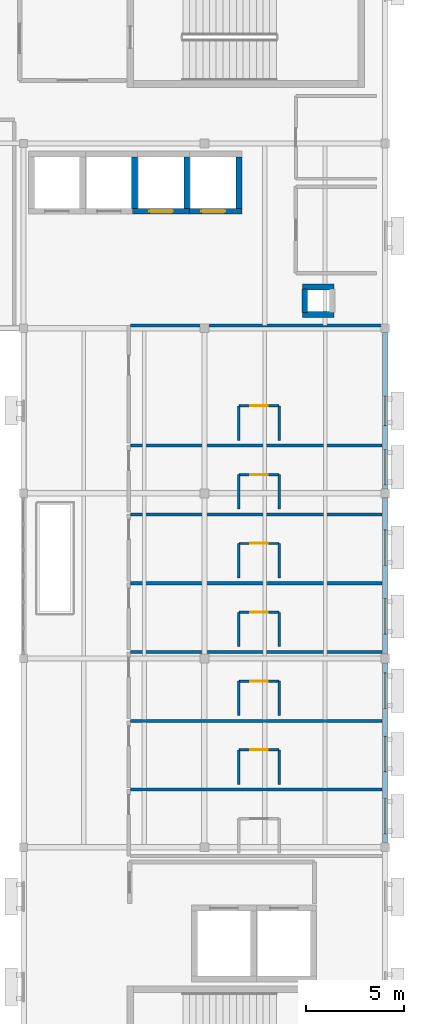
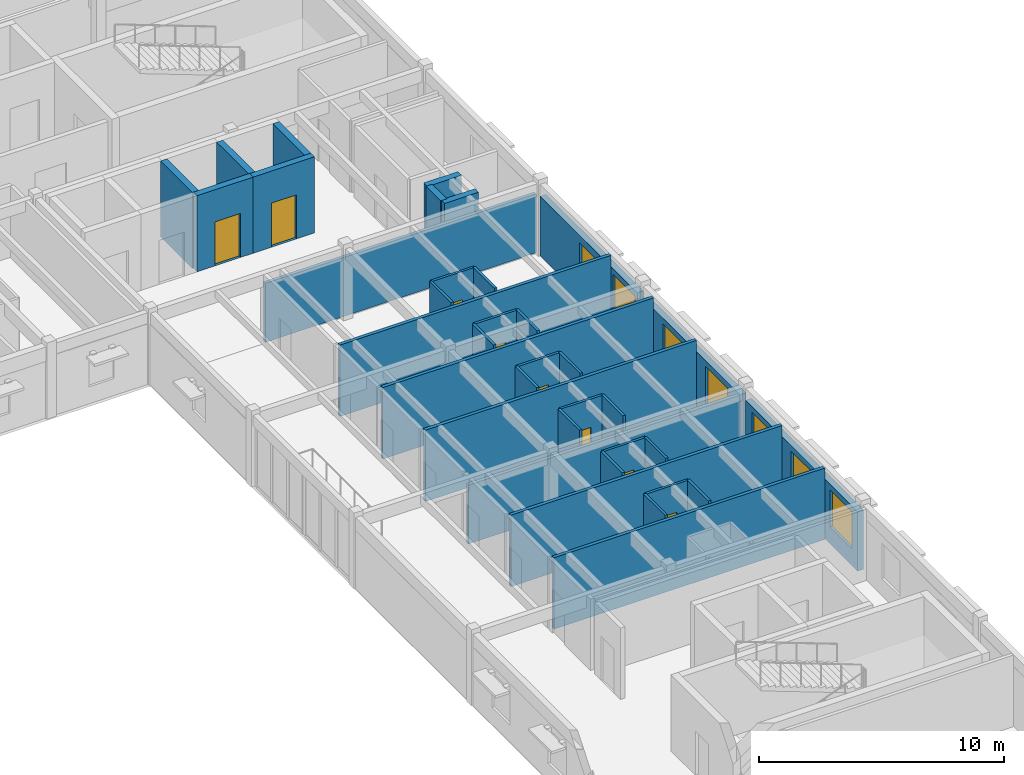
# One storey, part 9 of 17: 36 walls, 8 doors, 7 windows, 15 openings.
"""IFC4 building model written with IfcOpenShell, lengths in metres."""

from ifc_helpers import new_model, si_unit, direction, frame, frame_2d, origin, place, context, subcontext, project, spatial, rectangle, extrude, material, layer, layer_set, type_object, element, fill, save


model = new_model("IFC4")

# Units and contexts
model_context = context("Model", 3, precision=1e-05, world=origin(), true_north=direction((0.0, 1.0)))
body_context = subcontext(model_context, "Body", "Model", "MODEL_VIEW")
ifc_project = project(units=[si_unit("LENGTHUNIT", "METRE"), si_unit("AREAUNIT", "SQUARE_METRE"), si_unit("VOLUMEUNIT", "CUBIC_METRE"), si_unit("PLANEANGLEUNIT", "RADIAN"), si_unit("MASSUNIT", "GRAM", prefix="KILO")], contexts=[model_context])

# Site, building, storey
site_placement = place(None, origin())
site = spatial("IfcSite", under=ifc_project, at=site_placement, CompositionType="ELEMENT")
building_placement = place(site_placement, origin())
building = spatial("IfcBuilding", under=site, at=building_placement, Name="Veldera Park Congress Hotel", CompositionType="ELEMENT")
storey_placement = place(building_placement, frame((0.0, 0.0, 35.199951171875)))
storey = spatial("IfcBuildingStorey", under=building, at=storey_placement, Name="L08", CompositionType="ELEMENT", Elevation=35.199951171875)

# Wall, openings, windows
ifc_material_1 = material(Name="Cross-laminated timber CLT V2M1.1", Category="wood")
ifc_layer_1 = layer(ifc_material_1, 0.280029296875)
ifc_layer_set_1 = layer_set([ifc_layer_1], Name="Cross-laminated timber CLT V2M1.1")
wall_type_1 = type_object("IfcWallType", Name="EW-CLT280", PredefinedType="STANDARD", material=ifc_layer_set_1)
wall_1_placement = place(storey_placement, frame((84.0, 0.822998046875, 0.0), z_axis=(0.0, 0.0, 1.0), x_axis=(0.0, 1.0, 0.0)))
wall_1 = element("IfcWall", 1, at=wall_1_placement, inside=storey, type_object=wall_type_1, Name="L08 Exterior Wall EW3-L08-0375", PredefinedType="STANDARD", context=body_context, shape_type="SweptSolid", body=[
    extrude(rectangle(XDim=9.154052734375, YDim=0.280029296875, at=frame_2d((4.5771484375, 0.0))), origin(), (0.0, 0.0, 1.0), 2.97998046875),
])
opening_1_placement = place(wall_1_placement, frame((0.45361328125, 0.0, 0.85009765625)))
opening_1 = element("IfcOpeningElement", 2, at=opening_1_placement, cuts=wall_1, Name="Opening WIN-1800", PredefinedType="OPENING", context=body_context, shape_type="SweptSolid", body=[
    extrude(rectangle(XDim=1.800048828125, YDim=1.85009765625, at=frame_2d((0.89990234375, 0.925048828125))), frame((0.0, 0.152099609375, 0.0), z_axis=(0.0, -1.0, 0.0), x_axis=(1.0, 0.0, 0.0)), (0.0, 0.0, 1.0), 0.303955078125),
])
opening_2_placement = place(wall_1_placement, frame((3.616943359375, 0.0, 0.85009765625)))
opening_2 = element("IfcOpeningElement", 3, at=opening_2_placement, cuts=wall_1, Name="Opening WIN-1800", PredefinedType="OPENING", context=body_context, shape_type="SweptSolid", body=[
    extrude(rectangle(XDim=1.800048828125, YDim=1.85009765625, at=frame_2d((0.89990234375, 0.925048828125))), frame((0.0, 0.152099609375, 0.0), z_axis=(0.0, -1.0, 0.0), x_axis=(1.0, 0.0, 0.0)), (0.0, 0.0, 1.0), 0.303955078125),
])
opening_3_placement = place(wall_1_placement, frame((6.840576171875, 0.0, 0.85009765625)))
opening_3 = element("IfcOpeningElement", 4, at=opening_3_placement, cuts=wall_1, Name="Opening WIN-1800", PredefinedType="OPENING", context=body_context, shape_type="SweptSolid", body=[
    extrude(rectangle(XDim=1.800048828125, YDim=1.85009765625, at=frame_2d((0.89990234375, 0.925048828125))), frame((0.0, 0.152099609375, 0.0), z_axis=(0.0, -1.0, 0.0), x_axis=(1.0, 0.0, 0.0)), (0.0, 0.0, 1.0), 0.303955078125),
])
ifc_material_2 = material(Name="Low-E Triple Insulating Glass Unit (SHGC 0.22)", Category="glass")
window_type_1 = type_object("IfcWindowType", Name="WIN-1800", PartitioningType="SINGLE_PANEL", PredefinedType="WINDOW", material=ifc_material_2)
window_1_placement = place(opening_1_placement, origin())
window_1 = element("IfcWindow", 5, at=window_1_placement, inside=storey, type_object=window_type_1, Name="L08 Window WIN-1800 554", OverallHeight=1.85009765625, OverallWidth=1.800048828125, PartitioningType="SINGLE_PANEL", PredefinedType="WINDOW", context=body_context, shape_type="SweptSolid", body=[
    extrude(rectangle(XDim=1.800048828125, YDim=1.85009765625, at=frame_2d((0.89990234375, 0.925048828125))), frame((0.0, 0.030029296875, 0.0), z_axis=(0.0, -1.0, 0.0), x_axis=(1.0, 0.0, 0.0)), (0.0, 0.0, 1.0), 0.06005859375),
])
fill(opening_1, window_1)
window_2_placement = place(opening_2_placement, origin())
window_2 = element("IfcWindow", 6, at=window_2_placement, inside=storey, type_object=window_type_1, Name="L08 Window WIN-1800 555", OverallHeight=1.85009765625, OverallWidth=1.800048828125, PartitioningType="SINGLE_PANEL", PredefinedType="WINDOW", context=body_context, shape_type="SweptSolid", body=[
    extrude(rectangle(XDim=1.800048828125, YDim=1.85009765625, at=frame_2d((0.89990234375, 0.925048828125))), frame((0.0, 0.030029296875, 0.0), z_axis=(0.0, -1.0, 0.0), x_axis=(1.0, 0.0, 0.0)), (0.0, 0.0, 1.0), 0.06005859375),
])
fill(opening_2, window_2)
window_3_placement = place(opening_3_placement, origin())
window_3 = element("IfcWindow", 7, at=window_3_placement, inside=storey, type_object=window_type_1, Name="L08 Window WIN-1800 556", OverallHeight=1.85009765625, OverallWidth=1.800048828125, PartitioningType="SINGLE_PANEL", PredefinedType="WINDOW", context=body_context, shape_type="SweptSolid", body=[
    extrude(rectangle(XDim=1.800048828125, YDim=1.85009765625, at=frame_2d((0.89990234375, 0.925048828125))), frame((0.0, 0.030029296875, 0.0), z_axis=(0.0, -1.0, 0.0), x_axis=(1.0, 0.0, 0.0)), (0.0, 0.0, 1.0), 0.06005859375),
])
fill(opening_3, window_3)

wall_2_placement = place(storey_placement, frame((84.0, 10.423095703125, 0.0), z_axis=(0.0, 0.0, 1.0), x_axis=(0.0, 1.0, 0.0)))
wall_2 = element("IfcWall", 8, at=wall_2_placement, inside=storey, type_object=wall_type_1, Name="L08 Exterior Wall EW3-L08-0376", PredefinedType="STANDARD", context=body_context, shape_type="SweptSolid", body=[
    extrude(rectangle(XDim=7.953857421875, YDim=0.280029296875, at=frame_2d((3.97705078125, 0.0))), origin(), (0.0, 0.0, 1.0), 2.97998046875),
])
opening_4_placement = place(wall_2_placement, frame((1.01708984375, 0.0, 0.85009765625)))
opening_4 = element("IfcOpeningElement", 9, at=opening_4_placement, cuts=wall_2, Name="Opening WIN-1800", PredefinedType="OPENING", context=body_context, shape_type="SweptSolid", body=[
    extrude(rectangle(XDim=1.800048828125, YDim=1.85009765625, at=frame_2d((0.89990234375, 0.925048828125))), frame((0.0, 0.152099609375, 0.0), z_axis=(0.0, -1.0, 0.0), x_axis=(1.0, 0.0, 0.0)), (0.0, 0.0, 1.0), 0.303955078125),
])
opening_5_placement = place(wall_2_placement, frame((4.51708984375, 0.0, 0.85009765625)))
opening_5 = element("IfcOpeningElement", 10, at=opening_5_placement, cuts=wall_2, Name="Opening WIN-1800", PredefinedType="OPENING", context=body_context, shape_type="SweptSolid", body=[
    extrude(rectangle(XDim=1.800048828125, YDim=1.85009765625, at=frame_2d((0.89990234375, 0.925048828125))), frame((0.0, 0.152099609375, 0.0), z_axis=(0.0, -1.0, 0.0), x_axis=(1.0, 0.0, 0.0)), (0.0, 0.0, 1.0), 0.303955078125),
])
window_4_placement = place(opening_4_placement, origin())
window_4 = element("IfcWindow", 11, at=window_4_placement, inside=storey, type_object=window_type_1, Name="L08 Window WIN-1800 557", OverallHeight=1.85009765625, OverallWidth=1.800048828125, PartitioningType="SINGLE_PANEL", PredefinedType="WINDOW", context=body_context, shape_type="SweptSolid", body=[
    extrude(rectangle(XDim=1.800048828125, YDim=1.85009765625, at=frame_2d((0.89990234375, 0.925048828125))), frame((0.0, 0.030029296875, 0.0), z_axis=(0.0, -1.0, 0.0), x_axis=(1.0, 0.0, 0.0)), (0.0, 0.0, 1.0), 0.06005859375),
])
fill(opening_4, window_4)
window_5_placement = place(opening_5_placement, origin())
window_5 = element("IfcWindow", 12, at=window_5_placement, inside=storey, type_object=window_type_1, Name="L08 Window WIN-1800 558", OverallHeight=1.85009765625, OverallWidth=1.800048828125, PartitioningType="SINGLE_PANEL", PredefinedType="WINDOW", context=body_context, shape_type="SweptSolid", body=[
    extrude(rectangle(XDim=1.800048828125, YDim=1.85009765625, at=frame_2d((0.89990234375, 0.925048828125))), frame((0.0, 0.030029296875, 0.0), z_axis=(0.0, -1.0, 0.0), x_axis=(1.0, 0.0, 0.0)), (0.0, 0.0, 1.0), 0.06005859375),
])
fill(opening_5, window_5)

wall_3_placement = place(storey_placement, frame((84.0, 18.822998046875, 0.0), z_axis=(0.0, 0.0, 1.0), x_axis=(0.0, 1.0, 0.0)))
wall_3 = element("IfcWall", 13, at=wall_3_placement, inside=storey, type_object=wall_type_1, Name="L08 Exterior Wall EW3-L08-0377", PredefinedType="STANDARD", context=body_context, shape_type="SweptSolid", body=[
    extrude(rectangle(XDim=7.9541015625, YDim=0.280029296875, at=frame_2d((3.97705078125, 0.0))), origin(), (0.0, 0.0, 1.0), 2.97998046875),
])
opening_6_placement = place(wall_3_placement, frame((3.22705078125, 0.0, 0.85009765625)))
opening_6 = element("IfcOpeningElement", 14, at=opening_6_placement, cuts=wall_3, Name="Opening WIN-1500", PredefinedType="OPENING", context=body_context, shape_type="SweptSolid", body=[
    extrude(rectangle(XDim=1.5, YDim=1.75, at=frame_2d((0.75, 0.875))), frame((0.0, 0.152099609375, 0.0), z_axis=(0.0, -1.0, 0.0), x_axis=(1.0, 0.0, 0.0)), (0.0, 0.0, 1.0), 0.303955078125),
])
opening_7_placement = place(wall_3_placement, frame((0.20361328125, 0.0, 0.85009765625)))
opening_7 = element("IfcOpeningElement", 15, at=opening_7_placement, cuts=wall_3, Name="Opening WIN-1800", PredefinedType="OPENING", context=body_context, shape_type="SweptSolid", body=[
    extrude(rectangle(XDim=1.800048828125, YDim=1.85009765625, at=frame_2d((0.89990234375, 0.925048828125))), frame((0.0, 0.152099609375, 0.0), z_axis=(0.0, -1.0, 0.0), x_axis=(1.0, 0.0, 0.0)), (0.0, 0.0, 1.0), 0.303955078125),
])
window_type_2 = type_object("IfcWindowType", Name="WIN-1500", PartitioningType="SINGLE_PANEL", PredefinedType="WINDOW", material=ifc_material_2)
window_6_placement = place(opening_6_placement, origin())
window_6 = element("IfcWindow", 16, at=window_6_placement, inside=storey, type_object=window_type_2, Name="L08 Window WIN-1500 287", OverallHeight=1.75, OverallWidth=1.5, PartitioningType="SINGLE_PANEL", PredefinedType="WINDOW", context=body_context, shape_type="SweptSolid", body=[
    extrude(rectangle(XDim=1.5, YDim=1.75, at=frame_2d((0.75, 0.875))), frame((0.0, 0.030029296875, 0.0), z_axis=(0.0, -1.0, 0.0), x_axis=(1.0, 0.0, 0.0)), (0.0, 0.0, 1.0), 0.06005859375),
])
fill(opening_6, window_6)
window_7_placement = place(opening_7_placement, origin())
window_7 = element("IfcWindow", 17, at=window_7_placement, inside=storey, type_object=window_type_1, Name="L08 Window WIN-1800 559", OverallHeight=1.85009765625, OverallWidth=1.800048828125, PartitioningType="SINGLE_PANEL", PredefinedType="WINDOW", context=body_context, shape_type="SweptSolid", body=[
    extrude(rectangle(XDim=1.800048828125, YDim=1.85009765625, at=frame_2d((0.89990234375, 0.925048828125))), frame((0.0, 0.030029296875, 0.0), z_axis=(0.0, -1.0, 0.0), x_axis=(1.0, 0.0, 0.0)), (0.0, 0.0, 1.0), 0.06005859375),
])
fill(opening_7, window_7)

# Walls
ifc_material_3 = material(Name="Fire-Rated Gypsum Board on Cold-Formed Steel Studs", Category="steel")
ifc_layer_2 = layer(ifc_material_3, 0.1201171875)
ifc_layer_set_2 = layer_set([ifc_layer_2], Name="Fire-Rated Gypsum Board on Cold-Formed Steel Studs")
wall_type_2 = type_object("IfcWallType", Name="IW-BATH120", PredefinedType="PARTITIONING", material=ifc_layer_set_2)
for number, where, z_axis, x_axis, name in (
    (18, (76.550048828125, 3.800048828125, 0.0), (0.0, 0.0, 1.0), (0.0, 1.0, 0.0), "L08 Partition Wall IW3-L08-01507"),
    (19, (78.60009765625, 3.800048828125, 0.0), (0.0, 0.0, 1.0), (0.0, 1.0, 0.0), "L08 Partition Wall IW3-L08-01508"),
):
    element("IfcWall", number, at=place(storey_placement, frame(where, z_axis=z_axis, x_axis=x_axis)), inside=storey, type_object=wall_type_2, Name=name, PredefinedType="PARTITIONING", context=body_context, shape_type="SweptSolid", body=[
        extrude(rectangle(XDim=1.75, YDim=0.1201171875, at=frame_2d((0.875, 0.0))), origin(), (0.0, 0.0, 1.0), 3.56494140625),
    ])

# Wall, opening, door
wall_4_placement = place(storey_placement, frame((76.550048828125, 5.550048828125, 0.0), z_axis=(0.0, 0.0, 1.0), x_axis=(1.0, 0.0, 0.0)))
wall_4 = element("IfcWall", 20, at=wall_4_placement, inside=storey, type_object=wall_type_2, Name="L08 Partition Wall IW3-L08-01509", PredefinedType="PARTITIONING", context=body_context, shape_type="SweptSolid", body=[
    extrude(rectangle(XDim=2.050048828125, YDim=0.1201171875, at=frame_2d((1.02490234375, 0.0))), origin(), (0.0, 0.0, 1.0), 3.56494140625),
])
opening_8_placement = place(wall_4_placement, frame((0.574951171875, 0.0, 0.0)))
opening_8 = element("IfcOpeningElement", 21, at=opening_8_placement, cuts=wall_4, Name="Opening ID-BATH090", PredefinedType="OPENING", context=body_context, shape_type="SweptSolid", body=[
    extrude(rectangle(XDim=0.89990234375, YDim=2.14990234375, at=frame_2d((0.449951171875, 1.074951171875))), frame((0.0, 0.072021484375, 0.0), z_axis=(0.0, -1.0, 0.0), x_axis=(1.0, 0.0, 0.0)), (0.0, 0.0, 1.0), 0.14404296875),
])
ifc_material_4 = material(Name="Solid Core White Oak Architectural Door", Category="wood")
door_type_1 = type_object("IfcDoorType", Name="ID-BATH090", OperationType="NOTDEFINED", PredefinedType="DOOR", material=ifc_material_4)
door_1_placement = place(opening_8_placement, origin())
door_1 = element("IfcDoor", 22, at=door_1_placement, inside=storey, type_object=door_type_1, Name="L08 En-suite 242 Door ID3-L08-0623 (DR3-ID3-L08-0623)", OperationType="SINGLE_SWING_LEFT", OverallHeight=2.14990234375, OverallWidth=0.89990234375, PredefinedType="DOOR", context=body_context, shape_type="SweptSolid", body=[
    extrude(rectangle(XDim=0.89990234375, YDim=2.14990234375, at=frame_2d((0.449951171875, 1.074951171875))), frame((0.0, 0.02490234375, 0.0), z_axis=(0.0, -1.0, 0.0), x_axis=(1.0, 0.0, 0.0)), (0.0, 0.0, 1.0), 0.050048828125),
])
fill(opening_8, door_1)

# Walls
for number, where, z_axis, x_axis, name in (
    (23, (76.550048828125, 7.300048828125, 0.0), (0.0, 0.0, 1.0), (0.0, 1.0, 0.0), "L08 Partition Wall IW3-L08-01512"),
    (24, (78.60009765625, 7.300048828125, 0.0), (0.0, 0.0, 1.0), (0.0, 1.0, 0.0), "L08 Partition Wall IW3-L08-01513"),
):
    element("IfcWall", number, at=place(storey_placement, frame(where, z_axis=z_axis, x_axis=x_axis)), inside=storey, type_object=wall_type_2, Name=name, PredefinedType="PARTITIONING", context=body_context, shape_type="SweptSolid", body=[
        extrude(rectangle(XDim=1.75, YDim=0.1201171875, at=frame_2d((0.875, 0.0))), origin(), (0.0, 0.0, 1.0), 3.56494140625),
    ])

# Wall, opening, door
wall_5_placement = place(storey_placement, frame((76.550048828125, 9.050048828125, 0.0), z_axis=(0.0, 0.0, 1.0), x_axis=(1.0, 0.0, 0.0)))
wall_5 = element("IfcWall", 25, at=wall_5_placement, inside=storey, type_object=wall_type_2, Name="L08 Partition Wall IW3-L08-01514", PredefinedType="PARTITIONING", context=body_context, shape_type="SweptSolid", body=[
    extrude(rectangle(XDim=2.050048828125, YDim=0.1201171875, at=frame_2d((1.02490234375, 0.0))), origin(), (0.0, 0.0, 1.0), 3.56494140625),
])
opening_9_placement = place(wall_5_placement, frame((0.574951171875, 0.0, 0.0)))
opening_9 = element("IfcOpeningElement", 26, at=opening_9_placement, cuts=wall_5, Name="Opening ID-BATH090", PredefinedType="OPENING", context=body_context, shape_type="SweptSolid", body=[
    extrude(rectangle(XDim=0.89990234375, YDim=2.14990234375, at=frame_2d((0.449951171875, 1.074951171875))), frame((0.0, 0.072021484375, 0.0), z_axis=(0.0, -1.0, 0.0), x_axis=(1.0, 0.0, 0.0)), (0.0, 0.0, 1.0), 0.14404296875),
])
door_2_placement = place(opening_9_placement, origin())
door_2 = element("IfcDoor", 27, at=door_2_placement, inside=storey, type_object=door_type_1, Name="L08 En-suite 243 Door ID3-L08-0625 (DR3-ID3-L08-0625)", OperationType="SINGLE_SWING_LEFT", OverallHeight=2.14990234375, OverallWidth=0.89990234375, PredefinedType="DOOR", context=body_context, shape_type="SweptSolid", body=[
    extrude(rectangle(XDim=0.89990234375, YDim=2.14990234375, at=frame_2d((0.449951171875, 1.074951171875))), frame((0.0, 0.02490234375, 0.0), z_axis=(0.0, -1.0, 0.0), x_axis=(1.0, 0.0, 0.0)), (0.0, 0.0, 1.0), 0.050048828125),
])
fill(opening_9, door_2)

# Walls
for number, where, z_axis, x_axis, name in (
    (28, (76.550048828125, 10.800048828125, 0.0), (0.0, 0.0, 1.0), (0.0, 1.0, 0.0), "L08 Partition Wall IW3-L08-01517"),
    (29, (78.60009765625, 10.800048828125, 0.0), (0.0, 0.0, 1.0), (0.0, 1.0, 0.0), "L08 Partition Wall IW3-L08-01518"),
):
    element("IfcWall", number, at=place(storey_placement, frame(where, z_axis=z_axis, x_axis=x_axis)), inside=storey, type_object=wall_type_2, Name=name, PredefinedType="PARTITIONING", context=body_context, shape_type="SweptSolid", body=[
        extrude(rectangle(XDim=1.75, YDim=0.1201171875, at=frame_2d((0.875, 0.0))), origin(), (0.0, 0.0, 1.0), 3.56494140625),
    ])

# Wall, opening, door
wall_6_placement = place(storey_placement, frame((76.550048828125, 12.550048828125, 0.0), z_axis=(0.0, 0.0, 1.0), x_axis=(1.0, 0.0, 0.0)))
wall_6 = element("IfcWall", 30, at=wall_6_placement, inside=storey, type_object=wall_type_2, Name="L08 Partition Wall IW3-L08-01519", PredefinedType="PARTITIONING", context=body_context, shape_type="SweptSolid", body=[
    extrude(rectangle(XDim=2.050048828125, YDim=0.1201171875, at=frame_2d((1.02490234375, 0.0))), origin(), (0.0, 0.0, 1.0), 3.56494140625),
])
opening_10_placement = place(wall_6_placement, frame((0.574951171875, 0.0, 0.0)))
opening_10 = element("IfcOpeningElement", 31, at=opening_10_placement, cuts=wall_6, Name="Opening ID-BATH090", PredefinedType="OPENING", context=body_context, shape_type="SweptSolid", body=[
    extrude(rectangle(XDim=0.89990234375, YDim=2.14990234375, at=frame_2d((0.449951171875, 1.074951171875))), frame((0.0, 0.072021484375, 0.0), z_axis=(0.0, -1.0, 0.0), x_axis=(1.0, 0.0, 0.0)), (0.0, 0.0, 1.0), 0.14404296875),
])
door_3_placement = place(opening_10_placement, origin())
door_3 = element("IfcDoor", 32, at=door_3_placement, inside=storey, type_object=door_type_1, Name="L08 En-suite 244 Door ID3-L08-0627 (DR3-ID3-L08-0627)", OperationType="SINGLE_SWING_LEFT", OverallHeight=2.14990234375, OverallWidth=0.89990234375, PredefinedType="DOOR", context=body_context, shape_type="SweptSolid", body=[
    extrude(rectangle(XDim=0.89990234375, YDim=2.14990234375, at=frame_2d((0.449951171875, 1.074951171875))), frame((0.0, 0.02490234375, 0.0), z_axis=(0.0, -1.0, 0.0), x_axis=(1.0, 0.0, 0.0)), (0.0, 0.0, 1.0), 0.050048828125),
])
fill(opening_10, door_3)

# Walls
for number, where, z_axis, x_axis, name in (
    (33, (76.550048828125, 14.300048828125, 0.0), (0.0, 0.0, 1.0), (0.0, 1.0, 0.0), "L08 Partition Wall IW3-L08-01522"),
    (34, (78.60009765625, 14.300048828125, 0.0), (0.0, 0.0, 1.0), (0.0, 1.0, 0.0), "L08 Partition Wall IW3-L08-01523"),
):
    element("IfcWall", number, at=place(storey_placement, frame(where, z_axis=z_axis, x_axis=x_axis)), inside=storey, type_object=wall_type_2, Name=name, PredefinedType="PARTITIONING", context=body_context, shape_type="SweptSolid", body=[
        extrude(rectangle(XDim=1.75, YDim=0.1201171875, at=frame_2d((0.875, 0.0))), origin(), (0.0, 0.0, 1.0), 3.56494140625),
    ])

# Wall, opening, door
wall_7_placement = place(storey_placement, frame((76.550048828125, 16.050048828125, 0.0), z_axis=(0.0, 0.0, 1.0), x_axis=(1.0, 0.0, 0.0)))
wall_7 = element("IfcWall", 35, at=wall_7_placement, inside=storey, type_object=wall_type_2, Name="L08 Partition Wall IW3-L08-01524", PredefinedType="PARTITIONING", context=body_context, shape_type="SweptSolid", body=[
    extrude(rectangle(XDim=2.050048828125, YDim=0.1201171875, at=frame_2d((1.02490234375, 0.0))), origin(), (0.0, 0.0, 1.0), 3.56494140625),
])
opening_11_placement = place(wall_7_placement, frame((0.574951171875, 0.0, 0.0)))
opening_11 = element("IfcOpeningElement", 36, at=opening_11_placement, cuts=wall_7, Name="Opening ID-BATH090", PredefinedType="OPENING", context=body_context, shape_type="SweptSolid", body=[
    extrude(rectangle(XDim=0.89990234375, YDim=2.14990234375, at=frame_2d((0.449951171875, 1.074951171875))), frame((0.0, 0.072021484375, 0.0), z_axis=(0.0, -1.0, 0.0), x_axis=(1.0, 0.0, 0.0)), (0.0, 0.0, 1.0), 0.14404296875),
])
door_4_placement = place(opening_11_placement, origin())
door_4 = element("IfcDoor", 37, at=door_4_placement, inside=storey, type_object=door_type_1, Name="L08 En-suite 245 Door ID3-L08-0629 (DR3-ID3-L08-0629)", OperationType="SINGLE_SWING_LEFT", OverallHeight=2.14990234375, OverallWidth=0.89990234375, PredefinedType="DOOR", context=body_context, shape_type="SweptSolid", body=[
    extrude(rectangle(XDim=0.89990234375, YDim=2.14990234375, at=frame_2d((0.449951171875, 1.074951171875))), frame((0.0, 0.02490234375, 0.0), z_axis=(0.0, -1.0, 0.0), x_axis=(1.0, 0.0, 0.0)), (0.0, 0.0, 1.0), 0.050048828125),
])
fill(opening_11, door_4)

# Walls
for number, where, z_axis, x_axis, name in (
    (38, (76.550048828125, 17.800048828125, 0.0), (0.0, 0.0, 1.0), (0.0, 1.0, 0.0), "L08 Partition Wall IW3-L08-01527"),
    (39, (78.60009765625, 17.800048828125, 0.0), (0.0, 0.0, 1.0), (0.0, 1.0, 0.0), "L08 Partition Wall IW3-L08-01528"),
):
    element("IfcWall", number, at=place(storey_placement, frame(where, z_axis=z_axis, x_axis=x_axis)), inside=storey, type_object=wall_type_2, Name=name, PredefinedType="PARTITIONING", context=body_context, shape_type="SweptSolid", body=[
        extrude(rectangle(XDim=1.75, YDim=0.1201171875, at=frame_2d((0.875, 0.0))), origin(), (0.0, 0.0, 1.0), 3.56494140625),
    ])

# Wall, opening, door
wall_8_placement = place(storey_placement, frame((76.550048828125, 19.550048828125, 0.0), z_axis=(0.0, 0.0, 1.0), x_axis=(1.0, 0.0, 0.0)))
wall_8 = element("IfcWall", 40, at=wall_8_placement, inside=storey, type_object=wall_type_2, Name="L08 Partition Wall IW3-L08-01529", PredefinedType="PARTITIONING", context=body_context, shape_type="SweptSolid", body=[
    extrude(rectangle(XDim=2.050048828125, YDim=0.1201171875, at=frame_2d((1.02490234375, 0.0))), origin(), (0.0, 0.0, 1.0), 3.56494140625),
])
opening_12_placement = place(wall_8_placement, frame((0.574951171875, 0.0, 0.0)))
opening_12 = element("IfcOpeningElement", 41, at=opening_12_placement, cuts=wall_8, Name="Opening ID-BATH090", PredefinedType="OPENING", context=body_context, shape_type="SweptSolid", body=[
    extrude(rectangle(XDim=0.89990234375, YDim=2.14990234375, at=frame_2d((0.449951171875, 1.074951171875))), frame((0.0, 0.072021484375, 0.0), z_axis=(0.0, -1.0, 0.0), x_axis=(1.0, 0.0, 0.0)), (0.0, 0.0, 1.0), 0.14404296875),
])
door_5_placement = place(opening_12_placement, origin())
door_5 = element("IfcDoor", 42, at=door_5_placement, inside=storey, type_object=door_type_1, Name="L08 En-suite 246 Door ID3-L08-0631 (DR3-ID3-L08-0631)", OperationType="SINGLE_SWING_LEFT", OverallHeight=2.14990234375, OverallWidth=0.89990234375, PredefinedType="DOOR", context=body_context, shape_type="SweptSolid", body=[
    extrude(rectangle(XDim=0.89990234375, YDim=2.14990234375, at=frame_2d((0.449951171875, 1.074951171875))), frame((0.0, 0.02490234375, 0.0), z_axis=(0.0, -1.0, 0.0), x_axis=(1.0, 0.0, 0.0)), (0.0, 0.0, 1.0), 0.050048828125),
])
fill(opening_12, door_5)

# Walls
for number, where, z_axis, x_axis, name in (
    (43, (76.550048828125, 21.300048828125, 0.0), (0.0, 0.0, 1.0), (0.0, 1.0, 0.0), "L08 Partition Wall IW3-L08-01532"),
    (44, (78.60009765625, 21.300048828125, 0.0), (0.0, 0.0, 1.0), (0.0, 1.0, 0.0), "L08 Partition Wall IW3-L08-01533"),
):
    element("IfcWall", number, at=place(storey_placement, frame(where, z_axis=z_axis, x_axis=x_axis)), inside=storey, type_object=wall_type_2, Name=name, PredefinedType="PARTITIONING", context=body_context, shape_type="SweptSolid", body=[
        extrude(rectangle(XDim=1.75, YDim=0.1201171875, at=frame_2d((0.875, 0.0))), origin(), (0.0, 0.0, 1.0), 3.56494140625),
    ])

# Wall, opening, door
wall_9_placement = place(storey_placement, frame((76.550048828125, 23.050048828125, 0.0), z_axis=(0.0, 0.0, 1.0), x_axis=(1.0, 0.0, 0.0)))
wall_9 = element("IfcWall", 45, at=wall_9_placement, inside=storey, type_object=wall_type_2, Name="L08 Partition Wall IW3-L08-01534", PredefinedType="PARTITIONING", context=body_context, shape_type="SweptSolid", body=[
    extrude(rectangle(XDim=2.050048828125, YDim=0.1201171875, at=frame_2d((1.02490234375, 0.0))), origin(), (0.0, 0.0, 1.0), 3.56494140625),
])
opening_13_placement = place(wall_9_placement, frame((0.574951171875, 0.0, 0.0)))
opening_13 = element("IfcOpeningElement", 46, at=opening_13_placement, cuts=wall_9, Name="Opening ID-BATH090", PredefinedType="OPENING", context=body_context, shape_type="SweptSolid", body=[
    extrude(rectangle(XDim=0.89990234375, YDim=2.14990234375, at=frame_2d((0.449951171875, 1.074951171875))), frame((0.0, 0.072021484375, 0.0), z_axis=(0.0, -1.0, 0.0), x_axis=(1.0, 0.0, 0.0)), (0.0, 0.0, 1.0), 0.14404296875),
])
door_6_placement = place(opening_13_placement, origin())
door_6 = element("IfcDoor", 47, at=door_6_placement, inside=storey, type_object=door_type_1, Name="L08 En-suite 247 Door ID3-L08-0633 (DR3-ID3-L08-0633)", OperationType="SINGLE_SWING_LEFT", OverallHeight=2.14990234375, OverallWidth=0.89990234375, PredefinedType="DOOR", context=body_context, shape_type="SweptSolid", body=[
    extrude(rectangle(XDim=0.89990234375, YDim=2.14990234375, at=frame_2d((0.449951171875, 1.074951171875))), frame((0.0, 0.02490234375, 0.0), z_axis=(0.0, -1.0, 0.0), x_axis=(1.0, 0.0, 0.0)), (0.0, 0.0, 1.0), 0.050048828125),
])
fill(opening_13, door_6)

# Walls
ifc_layer_3 = layer(ifc_material_1, 0.159912109375)
ifc_layer_set_3 = layer_set([ifc_layer_3], Name="Cross-laminated timber CLT V2M1.1")
wall_type_3 = type_object("IfcWallType", Name="IW-UNIT160", PredefinedType="PARTITIONING", material=ifc_layer_set_3)
for number, where, z_axis, x_axis, name in (
    (48, (71.050048828125, 3.530029296875, 0.0), (0.0, 0.0, 1.0), (1.0, 0.0, 0.0), "L08 Partition Wall IW3-L08-01501"),
    (49, (71.050048828125, 7.030029296875, 0.0), (0.0, 0.0, 1.0), (1.0, 0.0, 0.0), "L08 Partition Wall IW3-L08-01506"),
):
    element("IfcWall", number, at=place(storey_placement, frame(where, z_axis=z_axis, x_axis=x_axis)), inside=storey, type_object=wall_type_3, Name=name, PredefinedType="PARTITIONING", context=body_context, shape_type="SweptSolid", body=[
        extrude(rectangle(XDim=12.7900390625, YDim=0.159912109375, at=frame_2d((6.39501953125, 0.0))), origin(), (0.0, 0.0, 1.0), 3.56494140625),
    ])
wall_10_placement = place(storey_placement, frame((71.050048828125, 10.530029296875, 0.0), z_axis=(0.0, 0.0, 1.0), x_axis=(1.0, 0.0, 0.0)))
element("IfcWall", 50, at=wall_10_placement, inside=storey, type_object=wall_type_3, Name="L08 Partition Wall IW3-L08-01511", PredefinedType="PARTITIONING", context=body_context, shape_type="SweptSolid", body=[
    extrude(rectangle(XDim=12.7900390625, YDim=0.159912109375, at=frame_2d((6.39501953125, 0.0))), origin(), (0.0, 0.0, 1.0), 2.93994140625),
])
for number, where, z_axis, x_axis, name in (
    (51, (71.050048828125, 14.030029296875, 0.0), (0.0, 0.0, 1.0), (1.0, 0.0, 0.0), "L08 Partition Wall IW3-L08-01516"),
    (52, (71.050048828125, 17.530029296875, 0.0), (0.0, 0.0, 1.0), (1.0, 0.0, 0.0), "L08 Partition Wall IW3-L08-01521"),
    (53, (71.050048828125, 21.030029296875, 0.0), (0.0, 0.0, 1.0), (1.0, 0.0, 0.0), "L08 Partition Wall IW3-L08-01526"),
):
    element("IfcWall", number, at=place(storey_placement, frame(where, z_axis=z_axis, x_axis=x_axis)), inside=storey, type_object=wall_type_3, Name=name, PredefinedType="PARTITIONING", context=body_context, shape_type="SweptSolid", body=[
        extrude(rectangle(XDim=12.7900390625, YDim=0.159912109375, at=frame_2d((6.39501953125, 0.0))), origin(), (0.0, 0.0, 1.0), 3.56494140625),
    ])
wall_11_placement = place(storey_placement, frame((71.050048828125, 27.1298828125, 0.0), z_axis=(0.0, 0.0, 1.0), x_axis=(1.0, 0.0, 0.0)))
element("IfcWall", 54, at=wall_11_placement, inside=storey, type_object=wall_type_3, Name="L08 Partition Wall IW3-L08-01531", PredefinedType="PARTITIONING", context=body_context, shape_type="SweptSolid", body=[
    extrude(rectangle(XDim=12.7900390625, YDim=0.159912109375, at=frame_2d((6.39501953125, 0.0))), origin(), (0.0, 0.0, 1.0), 2.93994140625),
])
ifc_material_5 = material(Name="Concrete f'c 40 MPa (5,800 psi)", Category="concrete")
ifc_layer_4 = layer(ifc_material_5, 0.300048828125)
ifc_layer_set_4 = layer_set([ifc_layer_4], Name="Concrete f'c 40 MPa (5,800 psi)")
wall_type_4 = type_object("IfcWallType", Name="SW-SHFT300", PredefinedType="SHEAR", material=ifc_layer_set_4)
for number, where, z_axis, x_axis, name in (
    (55, (79.800048828125, 27.699951171875, 0.0), (0.0, 0.0, 1.0), (1.0, 0.0, 0.0), "MEP Riser Shaft Wall L08-S"),
    (56, (81.39990234375, 29.10009765625, 0.0), (0.0, 0.0, 1.0), (-1.0, 0.0, 0.0), "MEP Riser Shaft Wall L08-N"),
):
    element("IfcWall", number, at=place(storey_placement, frame(where, z_axis=z_axis, x_axis=x_axis)), inside=storey, type_object=wall_type_4, Name=name, PredefinedType="SHEAR", context=body_context, shape_type="SweptSolid", body=[
        extrude(rectangle(XDim=1.599853515625, YDim=0.300048828125, at=frame_2d((0.7998046875, 0.0))), origin(), (0.0, 0.0, 1.0), 3.56494140625),
    ])
wall_12_placement = place(storey_placement, frame((79.89990234375, 29.0, 0.0), z_axis=(0.0, 0.0, 1.0), x_axis=(0.0, -1.0, 0.0)))
element("IfcWall", 57, at=wall_12_placement, inside=storey, type_object=wall_type_4, Name="MEP Riser Shaft Wall L08-W", PredefinedType="SHEAR", context=body_context, shape_type="SweptSolid", body=[
    extrude(rectangle(XDim=1.199951171875, YDim=0.300048828125, at=frame_2d((0.60009765625, 0.0))), origin(), (0.0, 0.0, 1.0), 3.56494140625),
])
wall_13_placement = place(storey_placement, frame((71.25, 33.10009765625, 0.0), z_axis=(0.0, 0.0, 1.0), x_axis=(0.0, 1.0, 0.0)))
element("IfcWall", 58, at=wall_13_placement, inside=storey, type_object=wall_type_4, Name="Lift PL-02 Shaft Wall L08-E", PredefinedType="SHEAR", context=body_context, shape_type="SweptSolid", body=[
    extrude(rectangle(XDim=2.599853515625, YDim=0.300048828125, at=frame_2d((1.2998046875, 0.0))), origin(), (0.0, 0.0, 1.0), 3.800048828125),
])

# Wall, opening, door
wall_14_placement = place(storey_placement, frame((71.14990234375, 32.949951171875, 0.0), z_axis=(0.0, 0.0, 1.0), x_axis=(1.0, 0.0, 0.0)))
wall_14 = element("IfcWall", 59, at=wall_14_placement, inside=storey, type_object=wall_type_4, Name="Lift PL-03 Shaft Wall L08-S", PredefinedType="SHEAR", context=body_context, shape_type="SweptSolid", body=[
    extrude(rectangle(XDim=2.900146484375, YDim=0.300048828125, at=frame_2d((1.4501953125, 0.0))), origin(), (0.0, 0.0, 1.0), 3.800048828125),
])
opening_14_placement = place(wall_14_placement, frame((0.85009765625, 0.0, 0.0)))
opening_14 = element("IfcOpeningElement", 60, at=opening_14_placement, cuts=wall_14, Name="Opening LD-120", PredefinedType="OPENING", context=body_context, shape_type="SweptSolid", body=[
    extrude(rectangle(XDim=1.199951171875, YDim=2.199951171875, at=frame_2d((0.60009765625, 1.10009765625))), frame((0.0, 0.162109375, 0.0), z_axis=(0.0, -1.0, 0.0), x_axis=(1.0, 0.0, 0.0)), (0.0, 0.0, 1.0), 0.323974609375),
])
ifc_material_6 = material(Name="Hollow Metal Fire-Rated Steel Door", Category="steel")
door_type_2 = type_object("IfcDoorType", Name="LD-120", OperationType="DOUBLE_DOOR_SLIDING", PredefinedType="DOOR", material=ifc_material_6)
door_7_placement = place(opening_14_placement, origin())
door_7 = element("IfcDoor", 61, at=door_7_placement, inside=storey, type_object=door_type_2, Name="L08 Lift PL-03 Landing Door (DR3-LD-PL-03-L08)", OperationType="DOUBLE_DOOR_SLIDING", OverallHeight=2.199951171875, OverallWidth=1.199951171875, PredefinedType="DOOR", context=body_context, shape_type="SweptSolid", body=[
    extrude(rectangle(XDim=1.199951171875, YDim=2.199951171875, at=frame_2d((0.60009765625, 1.10009765625))), frame((0.0, 0.02490234375, 0.0), z_axis=(0.0, -1.0, 0.0), x_axis=(1.0, 0.0, 0.0)), (0.0, 0.0, 1.0), 0.050048828125),
])
fill(opening_14, door_7)

# Wall
wall_15_placement = place(storey_placement, frame((73.89990234375, 33.10009765625, 0.0), z_axis=(0.0, 0.0, 1.0), x_axis=(0.0, 1.0, 0.0)))
element("IfcWall", 62, at=wall_15_placement, inside=storey, type_object=wall_type_4, Name="Lift PL-03 Shaft Wall L08-E", PredefinedType="SHEAR", context=body_context, shape_type="SweptSolid", body=[
    extrude(rectangle(XDim=2.599853515625, YDim=0.300048828125, at=frame_2d((1.2998046875, 0.0))), origin(), (0.0, 0.0, 1.0), 3.800048828125),
])

# Wall, opening, door
wall_16_placement = place(storey_placement, frame((73.800048828125, 32.949951171875, 0.0), z_axis=(0.0, 0.0, 1.0), x_axis=(1.0, 0.0, 0.0)))
wall_16 = element("IfcWall", 63, at=wall_16_placement, inside=storey, type_object=wall_type_4, Name="Lift PL-04 Shaft Wall L08-S", PredefinedType="SHEAR", context=body_context, shape_type="SweptSolid", body=[
    extrude(rectangle(XDim=2.89990234375, YDim=0.300048828125, at=frame_2d((1.449951171875, 0.0))), origin(), (0.0, 0.0, 1.0), 3.800048828125),
])
opening_15_placement = place(wall_16_placement, frame((0.85009765625, 0.0, 0.0)))
opening_15 = element("IfcOpeningElement", 64, at=opening_15_placement, cuts=wall_16, Name="Opening LD-120", PredefinedType="OPENING", context=body_context, shape_type="SweptSolid", body=[
    extrude(rectangle(XDim=1.199951171875, YDim=2.199951171875, at=frame_2d((0.60009765625, 1.10009765625))), frame((0.0, 0.162109375, 0.0), z_axis=(0.0, -1.0, 0.0), x_axis=(1.0, 0.0, 0.0)), (0.0, 0.0, 1.0), 0.323974609375),
])
door_8_placement = place(opening_15_placement, origin())
door_8 = element("IfcDoor", 65, at=door_8_placement, inside=storey, type_object=door_type_2, Name="L08 Lift PL-04 Landing Door (DR3-LD-PL-04-L08)", OperationType="DOUBLE_DOOR_SLIDING", OverallHeight=2.199951171875, OverallWidth=1.199951171875, PredefinedType="DOOR", context=body_context, shape_type="SweptSolid", body=[
    extrude(rectangle(XDim=1.199951171875, YDim=2.199951171875, at=frame_2d((0.60009765625, 1.10009765625))), frame((0.0, 0.02490234375, 0.0), z_axis=(0.0, -1.0, 0.0), x_axis=(1.0, 0.0, 0.0)), (0.0, 0.0, 1.0), 0.050048828125),
])
fill(opening_15, door_8)

# Wall
wall_17_placement = place(storey_placement, frame((76.550048828125, 33.10009765625, 0.0), z_axis=(0.0, 0.0, 1.0), x_axis=(0.0, 1.0, 0.0)))
element("IfcWall", 66, at=wall_17_placement, inside=storey, type_object=wall_type_4, Name="Lift PL-04 Shaft Wall L08-E", PredefinedType="SHEAR", context=body_context, shape_type="SweptSolid", body=[
    extrude(rectangle(XDim=2.599853515625, YDim=0.300048828125, at=frame_2d((1.2998046875, 0.0))), origin(), (0.0, 0.0, 1.0), 3.800048828125),
])

save(model, "model.ifc")
